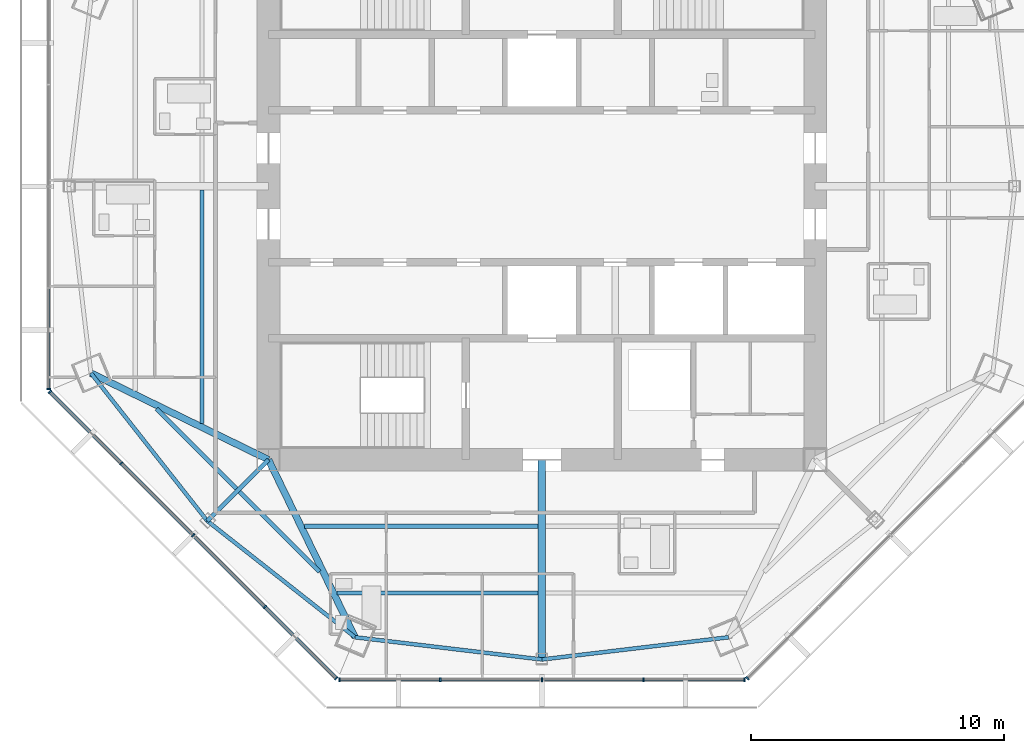
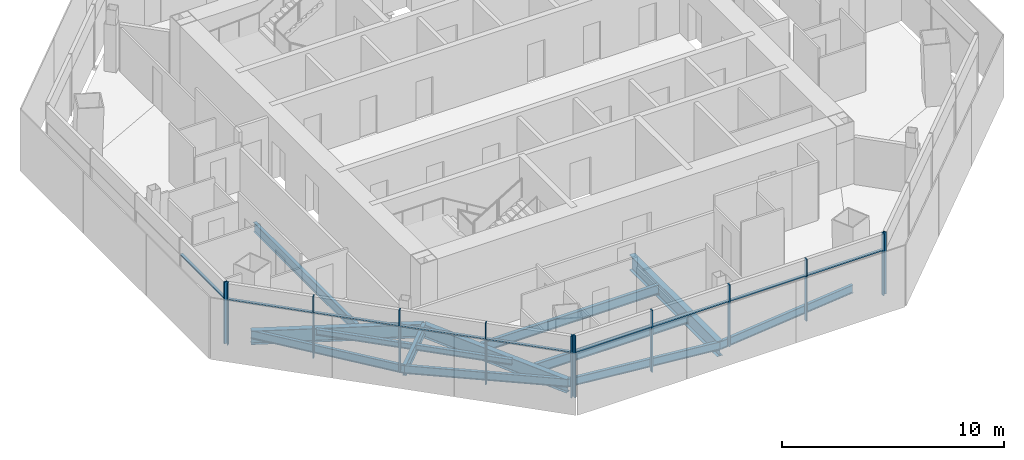
# One storey, part 2 of 15: 21 members, 13 beams, 4 elements without a shape of their own.
"""IFC4 building model written with IfcOpenShell, lengths in metres."""

from ifc_helpers import new_model, si_unit, direction, frame, origin, origin_2d, place, context, subcontext, project, spatial, rectangle, i_section, extrude, source, transform, mapped, material, material_profile, profile_set, type_object, type_shapes, element, aggregate, save


model = new_model("IFC4")

# Units and contexts
model_context = context("Model", 3, precision=1e-05, world=origin(), true_north=direction((0.0, 1.0)))
body_context = subcontext(model_context, "Body", "Model", "MODEL_VIEW")
ifc_project = project(units=[si_unit("LENGTHUNIT", "METRE"), si_unit("AREAUNIT", "SQUARE_METRE"), si_unit("VOLUMEUNIT", "CUBIC_METRE"), si_unit("PLANEANGLEUNIT", "RADIAN"), si_unit("MASSUNIT", "GRAM", prefix="KILO")], contexts=[model_context])

# Site, building, storey
site_placement = place(None, origin())
site = spatial("IfcSite", under=ifc_project, at=site_placement, CompositionType="ELEMENT")
building_placement = place(site_placement, origin())
building = spatial("IfcBuilding", under=site, at=building_placement, Name="Mashrafa Tower", CompositionType="ELEMENT")
storey_placement = place(building_placement, frame((0.0, 0.0, 301.39990234375)))
storey = spatial("IfcBuildingStorey", under=building, at=storey_placement, Name="L74", CompositionType="ELEMENT", Elevation=301.39990234375)

# Beams
ifc_material_1 = material(Name="Steel ASTM A992", Category="steel")
ifc_material_profile_1 = material_profile(ifc_material_1, i_section(OverallWidth=0.164794921875, OverallDepth=0.309814453125, WebThickness=0.005859375, FlangeThickness=0.009765625, FilletRadius=0.007568359375, at=origin_2d()), Name="W12X26")
ifc_profile_set_1 = profile_set([ifc_material_profile_1], Name="Steel ASTM A992")
beam_type_1 = type_object("IfcBeamType", Name="Beam W12X26", PredefinedType="BEAM", material=ifc_profile_set_1)
for number, where, z_axis, x_axis, name in (
    (1, (-12.072509765625, -11.9462890625, -0.354736328125), (-0.707106781187, 0.707106781187, 0.0), (-0.707106781187, -0.707106781187, 0.0), "Floor beam L74 006"),
    (2, (-8.78857421875, -15.230224609375, -0.354736328125), (-0.707106781187, 0.707106781187, 0.0), (-0.707106781187, -0.707106781187, 0.0), "Floor beam L74 009"),
):
    element("IfcBeam", number, at=place(storey_placement, frame(where, z_axis=z_axis, x_axis=x_axis)), inside=storey, type_object=beam_type_1, Name=name, PredefinedType="BEAM", context=body_context, shape_type="SweptSolid", body=[
        extrude(i_section(OverallWidth=0.164794921875, OverallDepth=0.309814453125, WebThickness=0.005859375, FlangeThickness=0.009765625, FilletRadius=0.007568359375, at=origin_2d()), origin(), (0.0, 0.0, 1.0), 4.465576171875),
    ])
ifc_material_2 = material(Name="Steel ASTM A992", Category="steel")
ifc_material_profile_2 = material_profile(ifc_material_2, i_section(OverallWidth=0.15234375, OverallDepth=0.449462890625, WebThickness=0.007568359375, FlangeThickness=0.0107421875, FilletRadius=0.01025390625, at=origin_2d()), Name="W18X35")
ifc_profile_set_2 = profile_set([ifc_material_profile_2], Name="Steel ASTM A992")
beam_type_2 = type_object("IfcBeamType", Name="Beam W18X35", PredefinedType="BEAM", material=ifc_profile_set_2)
for number, where, z_axis, x_axis, name in (
    (3, (-17.81591796875, -7.379638671875, -0.4248046875), (0.618594559835, -0.785710360466, 0.0), (0.785710360466, 0.618594559835, 0.0), "Spandrel beam L74 042"),
    (4, (-13.21875, -13.21875, -0.4248046875), (0.785710360466, -0.618594559835, 0.0), (0.618594559835, 0.785710360466, 0.0), "Spandrel beam L74 044"),
    (5, (-7.379638671875, -17.81591796875, -0.4248046875), (0.992993873764, -0.118165843912, 0.0), (0.118165843912, 0.992993873764, 0.0), "Spandrel beam L74 046"),
    (6, (0.0, -18.694091796875, -0.4248046875), (0.992993873764, 0.118165843912, 0.0), (-0.118165843912, 0.992993873764, 0.0), "Spandrel beam L74 048"),
):
    element("IfcBeam", number, at=place(storey_placement, frame(where, z_axis=z_axis, x_axis=x_axis)), inside=storey, type_object=beam_type_2, Name=name, PredefinedType="BEAM", context=body_context, shape_type="SweptSolid", body=[
        extrude(i_section(OverallWidth=0.15234375, OverallDepth=0.449462890625, WebThickness=0.007568359375, FlangeThickness=0.0107421875, FilletRadius=0.01025390625, at=origin_2d()), origin(), (0.0, 0.0, 1.0), 7.431640625),
    ])
ifc_material_3 = material(Name="Steel ASTM A992", Category="steel")
ifc_material_profile_3 = material_profile(ifc_material_3, i_section(OverallWidth=0.165771484375, OverallDepth=0.5283203125, WebThickness=0.009765625, FlangeThickness=0.013671875, FilletRadius=0.012939453125, at=origin_2d()), Name="W21X50")
ifc_profile_set_3 = profile_set([ifc_material_profile_3], Name="Steel ASTM A992")
beam_type_3 = type_object("IfcBeamType", Name="Beam W21X50", PredefinedType="BEAM", material=ifc_profile_set_3)
beam_1_placement = place(storey_placement, frame((-13.431396484375, -9.368896484375, -0.464111328125), z_axis=(0.0, 1.0, 0.0), x_axis=(-1.0, 0.0, 0.0)))
element("IfcBeam", 7, at=beam_1_placement, inside=storey, type_object=beam_type_3, Name="Floor beam L74 004", PredefinedType="BEAM", context=body_context, shape_type="SweptSolid", body=[
    extrude(i_section(OverallWidth=0.165771484375, OverallDepth=0.5283203125, WebThickness=0.009765625, FlangeThickness=0.013671875, FilletRadius=0.012939453125, at=origin_2d()), origin(), (0.0, 0.0, 1.0), 9.222900390625),
])
beam_2_placement = place(storey_placement, frame((-0.14599609375, -16.062744140625, -0.464111328125), z_axis=(-1.0, 0.0, 0.0), x_axis=(0.0, -1.0, 0.0)))
element("IfcBeam", 8, at=beam_2_placement, inside=storey, type_object=beam_type_3, Name="Floor beam L74 011", PredefinedType="BEAM", context=body_context, shape_type="SweptSolid", body=[
    extrude(i_section(OverallWidth=0.165771484375, OverallDepth=0.5283203125, WebThickness=0.009765625, FlangeThickness=0.013671875, FilletRadius=0.012939453125, at=origin_2d()), origin(), (0.0, 0.0, 1.0), 7.93994140625),
])
beam_3_placement = place(storey_placement, frame((-0.14599609375, -13.431396484375, -0.464111328125), z_axis=(-1.0, 0.0, 0.0), x_axis=(0.0, -1.0, 0.0)))
element("IfcBeam", 9, at=beam_3_placement, inside=storey, type_object=beam_type_3, Name="Floor beam L74 012", PredefinedType="BEAM", context=body_context, shape_type="SweptSolid", body=[
    extrude(i_section(OverallWidth=0.165771484375, OverallDepth=0.5283203125, WebThickness=0.009765625, FlangeThickness=0.013671875, FilletRadius=0.012939453125, at=origin_2d()), origin(), (0.0, 0.0, 1.0), 9.222900390625),
])
ifc_material_4 = material(Name="Steel ASTM A992", Category="steel")
ifc_material_profile_4 = material_profile(ifc_material_4, i_section(OverallWidth=0.177978515625, OverallDepth=0.599365234375, WebThickness=0.010009765625, FlangeThickness=0.012939453125, FilletRadius=0.012939453125, at=origin_2d()), Name="W24X55")
ifc_profile_set_4 = profile_set([ifc_material_profile_4], Name="Steel ASTM A992")
beam_type_4 = type_object("IfcBeamType", Name="Beam W24X55", PredefinedType="BEAM", material=ifc_profile_set_4)
beam_4_placement = place(storey_placement, frame((-10.800048828125, -10.800048828125, -0.49951171875), z_axis=(-0.707106781187, -0.707106781187, 0.0), x_axis=(0.707106781187, -0.707106781187, 0.0)))
element("IfcBeam", 10, at=beam_4_placement, inside=storey, type_object=beam_type_4, Name="Radial girder L74 026", PredefinedType="BEAM", context=body_context, shape_type="SweptSolid", body=[
    extrude(i_section(OverallWidth=0.177978515625, OverallDepth=0.599365234375, WebThickness=0.010009765625, FlangeThickness=0.012939453125, FilletRadius=0.012939453125, at=origin_2d()), origin(), (0.0, 0.0, 1.0), 3.420654296875),
])
ifc_material_5 = material(Name="Steel ASTM A992", Category="steel")
ifc_material_profile_5 = material_profile(ifc_material_5, i_section(OverallWidth=0.2666015625, OverallDepth=0.75439453125, WebThickness=0.01318359375, FlangeThickness=0.01708984375, FilletRadius=0.0166015625, at=origin_2d()), Name="W30X99")
ifc_profile_set_5 = profile_set([ifc_material_profile_5], Name="Steel ASTM A992")
beam_type_5 = type_object("IfcBeamType", Name="Beam W30X99", PredefinedType="BEAM", material=ifc_profile_set_5)
for number, where, z_axis, x_axis, name in (
    (11, (-10.800048828125, -10.800048828125, -0.5771484375), (-0.898867625946, 0.438220254011, 0.0), (-0.438220254011, -0.898867625946, 0.0), "Radial girder L74 025"),
    (12, (-10.800048828125, -10.800048828125, -0.5771484375), (0.438220254011, -0.898867625946, 0.0), (0.898867625946, 0.438220254011, 0.0), "Radial girder L74 027"),
):
    element("IfcBeam", number, at=place(storey_placement, frame(where, z_axis=z_axis, x_axis=x_axis)), inside=storey, type_object=beam_type_5, Name=name, PredefinedType="BEAM", context=body_context, shape_type="SweptSolid", body=[
        extrude(i_section(OverallWidth=0.2666015625, OverallDepth=0.75439453125, WebThickness=0.01318359375, FlangeThickness=0.01708984375, FilletRadius=0.0166015625, at=origin_2d()), origin(), (0.0, 0.0, 1.0), 7.80517578125),
    ])
ifc_material_6 = material(Name="Steel ASTM A992", Category="steel")
ifc_material_profile_6 = material_profile(ifc_material_6, i_section(OverallWidth=0.2919921875, OverallDepth=0.8408203125, WebThickness=0.0146484375, FlangeThickness=0.021728515625, FilletRadius=0.017333984375, at=origin_2d()), Name="W33X130")
ifc_profile_set_6 = profile_set([ifc_material_profile_6], Name="Steel ASTM A992")
beam_type_6 = type_object("IfcBeamType", Name="Beam W33X130", PredefinedType="BEAM", material=ifc_profile_set_6)
beam_5_placement = place(storey_placement, frame((0.0, -10.800048828125, -0.620361328125), z_axis=(0.0, -1.0, 0.0), x_axis=(1.0, 0.0, 0.0)))
element("IfcBeam", 13, at=beam_5_placement, inside=storey, type_object=beam_type_6, Name="Radial girder L74 032", PredefinedType="BEAM", context=body_context, shape_type="SweptSolid", body=[
    extrude(i_section(OverallWidth=0.2919921875, OverallDepth=0.8408203125, WebThickness=0.0146484375, FlangeThickness=0.021728515625, FilletRadius=0.017333984375, at=origin_2d()), origin(), (0.0, 0.0, 1.0), 7.89404296875),
])

# Curtain wall, member
ifc_material_7 = material(Name="Unitised aluminium curtain wall", Category="aluminium")
curtain_wall_type = type_object("IfcCurtainWallType", Name="Apartment curtain wall, zone 4 CW-D 160 deep", PredefinedType="NOTDEFINED", material=ifc_material_7)
curtain_wall_1_placement = place(storey_placement, origin())
curtain_wall_1 = element("IfcCurtainWall", 14, at=curtain_wall_1_placement, inside=storey, type_object=curtain_wall_type, Name="Apartment curtain wall, zone 4 L74 west", PredefinedType="NOTDEFINED")
ifc_material_8 = material(Name="Extruded aluminium mullion", Category="aluminium")
ifc_material_profile_7 = material_profile(ifc_material_8, rectangle(XDim=0.159912109375, YDim=0.06005859375, at=origin_2d()), Name="Mullion 60x160")
ifc_profile_set_7 = profile_set([ifc_material_profile_7], Name="Extruded aluminium mullion")
member_type_1 = type_object("IfcMemberType", Name="Mullion CW-D 60 x 160", PredefinedType="MULLION", material=ifc_profile_set_7)
shared_shape_1 = source(origin(), body_context, "Body", "SweptSolid", [
    extrude(rectangle(XDim=0.159912109375, YDim=0.06005859375, at=origin_2d()), origin(), (0.0, 0.0, 1.0), 3.400146484375),
])
type_shapes(member_type_1, [shared_shape_1])
member_1_placement = place(storey_placement, frame((-19.488525390625, -7.999267578125, 0.0), z_axis=(0.0, 0.0, 1.0), x_axis=(1.0, 0.0, 0.0)))
member_1 = element("IfcMember", 15, at=member_1_placement, type_object=member_type_1, Name="CW-D mullion 5", PredefinedType="MULLION", context=body_context, shape_type="MappedRepresentation", body=[
    mapped(shared_shape_1, transform((0.0, 0.0, 0.0))),
])

# Curtain wall, members
curtain_wall_2_placement = place(storey_placement, origin())
curtain_wall_2 = element("IfcCurtainWall", 16, at=curtain_wall_2_placement, inside=storey, type_object=curtain_wall_type, Name="Apartment curtain wall, zone 4 L74 south-west", PredefinedType="NOTDEFINED")
member_2_placement = place(storey_placement, frame((-19.436767578125, -8.1240234375, 0.0), z_axis=(0.0, 0.0, 1.0), x_axis=(0.707106781187, 0.707106781187, 0.0)))
member_2 = element("IfcMember", 17, at=member_2_placement, type_object=member_type_1, Name="CW-D mullion 1", PredefinedType="MULLION", context=body_context, shape_type="MappedRepresentation", body=[
    mapped(shared_shape_1, transform((0.0, 0.0, 0.0))),
])
member_3_placement = place(storey_placement, frame((-16.619140625, -10.941650390625, 0.0), z_axis=(0.0, 0.0, 1.0), x_axis=(0.707106781187, 0.707106781187, 0.0)))
member_3 = element("IfcMember", 18, at=member_3_placement, type_object=member_type_1, Name="CW-D mullion 2", PredefinedType="MULLION", context=body_context, shape_type="MappedRepresentation", body=[
    mapped(shared_shape_1, transform((0.0, 0.0, 0.0))),
])
member_4_placement = place(storey_placement, frame((-13.780517578125, -13.780517578125, 0.0), z_axis=(0.0, 0.0, 1.0), x_axis=(0.707106781187, 0.707106781187, 0.0)))
member_4 = element("IfcMember", 19, at=member_4_placement, type_object=member_type_1, Name="CW-D mullion 3", PredefinedType="MULLION", context=body_context, shape_type="MappedRepresentation", body=[
    mapped(shared_shape_1, transform((0.0, 0.0, 0.0))),
])
member_5_placement = place(storey_placement, frame((-10.941650390625, -16.619140625, 0.0), z_axis=(0.0, 0.0, 1.0), x_axis=(0.707106781187, 0.707106781187, 0.0)))
member_5 = element("IfcMember", 20, at=member_5_placement, type_object=member_type_1, Name="CW-D mullion 4", PredefinedType="MULLION", context=body_context, shape_type="MappedRepresentation", body=[
    mapped(shared_shape_1, transform((0.0, 0.0, 0.0))),
])
member_6_placement = place(storey_placement, frame((-8.1240234375, -19.436767578125, 0.0), z_axis=(0.0, 0.0, 1.0), x_axis=(0.707106781187, 0.707106781187, 0.0)))
member_6 = element("IfcMember", 21, at=member_6_placement, type_object=member_type_1, Name="CW-D mullion 5", PredefinedType="MULLION", context=body_context, shape_type="MappedRepresentation", body=[
    mapped(shared_shape_1, transform((0.0, 0.0, 0.0))),
])

curtain_wall_3_placement = place(storey_placement, origin())
curtain_wall_3 = element("IfcCurtainWall", 22, at=curtain_wall_3_placement, inside=storey, type_object=curtain_wall_type, Name="Apartment curtain wall, zone 4 L74 south", PredefinedType="NOTDEFINED")
member_7_placement = place(storey_placement, frame((-7.999267578125, -19.488525390625, 0.0), z_axis=(0.0, 0.0, 1.0), x_axis=(0.0, 1.0, 0.0)))
member_7 = element("IfcMember", 23, at=member_7_placement, type_object=member_type_1, Name="CW-D mullion 1", PredefinedType="MULLION", context=body_context, shape_type="MappedRepresentation", body=[
    mapped(shared_shape_1, transform((0.0, 0.0, 0.0))),
])
member_8_placement = place(storey_placement, frame((-4.0146484375, -19.488525390625, 0.0), z_axis=(0.0, 0.0, 1.0), x_axis=(0.0, 1.0, 0.0)))
member_8 = element("IfcMember", 24, at=member_8_placement, type_object=member_type_1, Name="CW-D mullion 2", PredefinedType="MULLION", context=body_context, shape_type="MappedRepresentation", body=[
    mapped(shared_shape_1, transform((0.0, 0.0, 0.0))),
])
member_9_placement = place(storey_placement, frame((0.0, -19.488525390625, 0.0), z_axis=(0.0, 0.0, 1.0), x_axis=(0.0, 1.0, 0.0)))
member_9 = element("IfcMember", 25, at=member_9_placement, type_object=member_type_1, Name="CW-D mullion 3", PredefinedType="MULLION", context=body_context, shape_type="MappedRepresentation", body=[
    mapped(shared_shape_1, transform((0.0, 0.0, 0.0))),
])
member_10_placement = place(storey_placement, frame((4.0146484375, -19.488525390625, 0.0), z_axis=(0.0, 0.0, 1.0), x_axis=(0.0, 1.0, 0.0)))
member_10 = element("IfcMember", 26, at=member_10_placement, type_object=member_type_1, Name="CW-D mullion 4", PredefinedType="MULLION", context=body_context, shape_type="MappedRepresentation", body=[
    mapped(shared_shape_1, transform((0.0, 0.0, 0.0))),
])
member_11_placement = place(storey_placement, frame((7.999267578125, -19.488525390625, 0.0), z_axis=(0.0, 0.0, 1.0), x_axis=(0.0, 1.0, 0.0)))
member_11 = element("IfcMember", 27, at=member_11_placement, type_object=member_type_1, Name="CW-D mullion 5", PredefinedType="MULLION", context=body_context, shape_type="MappedRepresentation", body=[
    mapped(shared_shape_1, transform((0.0, 0.0, 0.0))),
])

# Curtain wall, member
curtain_wall_4_placement = place(storey_placement, origin())
curtain_wall_4 = element("IfcCurtainWall", 28, at=curtain_wall_4_placement, inside=storey, type_object=curtain_wall_type, Name="Apartment curtain wall, zone 4 L74 south-east", PredefinedType="NOTDEFINED")
member_12_placement = place(storey_placement, frame((8.1240234375, -19.436767578125, 0.0), z_axis=(0.0, 0.0, 1.0), x_axis=(-0.707106781187, 0.707106781187, 0.0)))
member_12 = element("IfcMember", 29, at=member_12_placement, type_object=member_type_1, Name="CW-D mullion 1", PredefinedType="MULLION", context=body_context, shape_type="MappedRepresentation", body=[
    mapped(shared_shape_1, transform((0.0, 0.0, 0.0))),
])
aggregate(curtain_wall_4, [member_12])

# Member
ifc_material_9 = material(Name="Extruded aluminium transom", Category="aluminium")
ifc_material_profile_8 = material_profile(ifc_material_9, rectangle(XDim=0.1279296875, YDim=0.074951171875, at=origin_2d()), Name="Transom 75x128")
ifc_profile_set_8 = profile_set([ifc_material_profile_8], Name="Extruded aluminium transom")
member_type_2 = type_object("IfcMemberType", Name="Transom CW-D 75 x 128", PredefinedType="MULLION", material=ifc_profile_set_8)
shared_shape_2 = source(origin(), body_context, "Body", "SweptSolid", [
    extrude(rectangle(XDim=0.1279296875, YDim=0.074951171875, at=origin_2d()), origin(), (0.0, 0.0, 1.0), 3.924560546875),
])
member_13_placement = place(storey_placement, frame((-19.488525390625, -4.044677734375, 2.5), z_axis=(0.0, -1.0, 0.0), x_axis=(1.0, 0.0, 0.0)))
member_13 = element("IfcMember", 30, at=member_13_placement, type_object=member_type_2, Name="CW-D transom 4", PredefinedType="MULLION", context=body_context, shape_type="MappedRepresentation", body=[
    mapped(shared_shape_2, transform((0.0, 0.0, 0.0))),
])

aggregate(curtain_wall_1, [member_1, member_13])

member_14_placement = place(storey_placement, frame((-19.41552734375, -8.145263671875, 2.5), z_axis=(0.707106781187, -0.707106781187, 0.0), x_axis=(0.707106781187, 0.707106781187, 0.0)))
member_14 = element("IfcMember", 31, at=member_14_placement, type_object=member_type_2, Name="CW-D transom 1", PredefinedType="MULLION", context=body_context, shape_type="MappedRepresentation", body=[
    mapped(shared_shape_2, transform((0.0, 0.0, 0.0))),
])

member_15_placement = place(storey_placement, frame((-10.92041015625, -16.640380859375, 2.5), z_axis=(0.707106781187, -0.707106781187, 0.0), x_axis=(0.707106781187, 0.707106781187, 0.0)))
member_15 = element("IfcMember", 32, at=member_15_placement, type_object=member_type_2, Name="CW-D transom 4", PredefinedType="MULLION", context=body_context, shape_type="MappedRepresentation", body=[
    mapped(shared_shape_2, transform((0.0, 0.0, 0.0))),
])

member_16_placement = place(storey_placement, frame((-7.96923828125, -19.488525390625, 2.5), z_axis=(1.0, 0.0, 0.0), x_axis=(0.0, 1.0, 0.0)))
member_16 = element("IfcMember", 33, at=member_16_placement, type_object=member_type_2, Name="CW-D transom 1", PredefinedType="MULLION", context=body_context, shape_type="MappedRepresentation", body=[
    mapped(shared_shape_2, transform((0.0, 0.0, 0.0))),
])

member_17_placement = place(storey_placement, frame((4.044677734375, -19.488525390625, 2.5), z_axis=(1.0, 0.0, 0.0), x_axis=(0.0, 1.0, 0.0)))
member_17 = element("IfcMember", 34, at=member_17_placement, type_object=member_type_2, Name="CW-D transom 4", PredefinedType="MULLION", context=body_context, shape_type="MappedRepresentation", body=[
    mapped(shared_shape_2, transform((0.0, 0.0, 0.0))),
])

shared_shape_3 = source(origin(), body_context, "Body", "SweptSolid", [
    extrude(rectangle(XDim=0.1279296875, YDim=0.074951171875, at=origin_2d()), origin(), (0.0, 0.0, 1.0), 3.95458984375),
])
type_shapes(member_type_2, [shared_shape_2, shared_shape_3])
member_18_placement = place(storey_placement, frame((-16.59814453125, -10.962890625, 2.5), z_axis=(0.707106781187, -0.707106781187, 0.0), x_axis=(0.707106781187, 0.707106781187, 0.0)))
member_18 = element("IfcMember", 35, at=member_18_placement, type_object=member_type_2, Name="CW-D transom 2", PredefinedType="MULLION", context=body_context, shape_type="MappedRepresentation", body=[
    mapped(shared_shape_3, transform((0.0, 0.0, 0.0))),
])

member_19_placement = place(storey_placement, frame((-13.75927734375, -13.8017578125, 2.5), z_axis=(0.707106781187, -0.707106781187, 0.0), x_axis=(0.707106781187, 0.707106781187, 0.0)))
member_19 = element("IfcMember", 36, at=member_19_placement, type_object=member_type_2, Name="CW-D transom 3", PredefinedType="MULLION", context=body_context, shape_type="MappedRepresentation", body=[
    mapped(shared_shape_3, transform((0.0, 0.0, 0.0))),
])

aggregate(curtain_wall_2, [member_2, member_3, member_4, member_5, member_6, member_14, member_18, member_19, member_15])

member_20_placement = place(storey_placement, frame((-3.984619140625, -19.488525390625, 2.5), z_axis=(1.0, 0.0, 0.0), x_axis=(0.0, 1.0, 0.0)))
member_20 = element("IfcMember", 37, at=member_20_placement, type_object=member_type_2, Name="CW-D transom 2", PredefinedType="MULLION", context=body_context, shape_type="MappedRepresentation", body=[
    mapped(shared_shape_3, transform((0.0, 0.0, 0.0))),
])

member_21_placement = place(storey_placement, frame((0.030029296875, -19.488525390625, 2.5), z_axis=(1.0, 0.0, 0.0), x_axis=(0.0, 1.0, 0.0)))
member_21 = element("IfcMember", 38, at=member_21_placement, type_object=member_type_2, Name="CW-D transom 3", PredefinedType="MULLION", context=body_context, shape_type="MappedRepresentation", body=[
    mapped(shared_shape_3, transform((0.0, 0.0, 0.0))),
])

aggregate(curtain_wall_3, [member_7, member_8, member_9, member_10, member_11, member_16, member_20, member_21, member_17])

save(model, "model.ifc")
